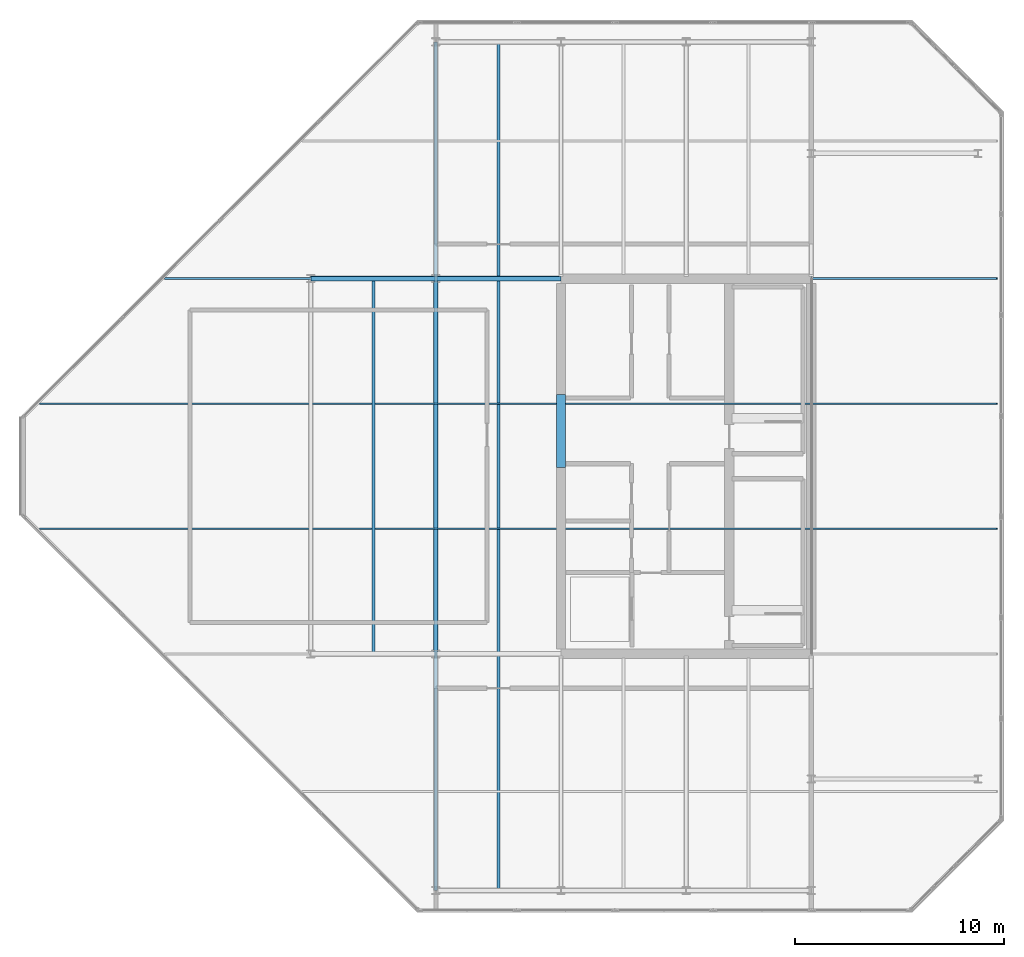
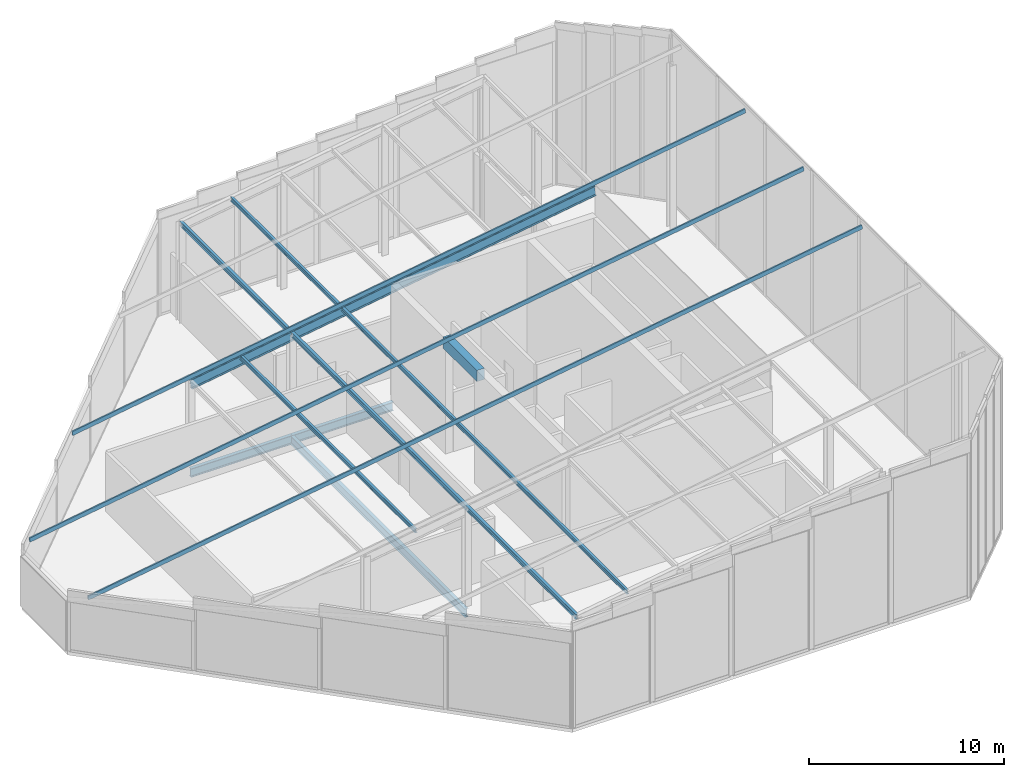
# One storey, part 9 of 30: 6 members, 5 beams.
"""IFC4 building model written with IfcOpenShell, lengths in metres."""

from ifc_helpers import new_model, si_unit, direction, frame, origin, origin_2d, place, context, subcontext, project, spatial, rectangle, hollow_rectangle, i_section, extrude, material, material_profile, profile_set, type_object, element, save


model = new_model("IFC4")

# Units and contexts
model_context = context("Model", 3, precision=1e-05, world=origin(), true_north=direction((0.0, 1.0)))
body_context = subcontext(model_context, "Body", "Model", "MODEL_VIEW")
ifc_project = project(units=[si_unit("LENGTHUNIT", "METRE"), si_unit("AREAUNIT", "SQUARE_METRE"), si_unit("VOLUMEUNIT", "CUBIC_METRE"), si_unit("PLANEANGLEUNIT", "RADIAN"), si_unit("MASSUNIT", "GRAM", prefix="KILO")], contexts=[model_context])

# Site, building, storey
site_placement = place(None, origin())
site = spatial("IfcSite", under=ifc_project, at=site_placement, CompositionType="ELEMENT")
building_placement = place(site_placement, origin())
building = spatial("IfcBuilding", under=site, at=building_placement, Name="Tanjung Sevakor Pilgrim Tower", CompositionType="ELEMENT")
storey_placement = place(building_placement, frame((0.0, 0.0, 287.760009765625)))
storey = spatial("IfcBuildingStorey", under=building, at=storey_placement, Name="L80", CompositionType="ELEMENT", Elevation=287.760009765625)

# Beams
ifc_material_1 = material(Name="Steel S355J2", Category="steel")
ifc_material_profile_1 = material_profile(ifc_material_1, i_section(OverallWidth=0.22900390625, OverallDepth=0.6123046875, WebThickness=0.011962890625, FlangeThickness=0.01953125, FilletRadius=0.0126953125, at=origin_2d()))
ifc_profile_set_1 = profile_set([ifc_material_profile_1], Name="Steel S355J2")
beam_type_1 = type_object("IfcBeamType", Name="BM-B-G4-UB_610x229x125", PredefinedType="BEAM", material=ifc_profile_set_1)
beam_1_placement = place(storey_placement, frame((66.0, 42.60009765625, 5.017822265625), z_axis=(0.987881396112, 0.0, 0.155210654327), x_axis=(0.0, 1.0, 0.0)))
element("IfcBeam", 1, at=beam_1_placement, inside=storey, type_object=beam_type_1, Name="L80 Sloped Crown Raking Girder 02", PredefinedType="BEAM", context=body_context, shape_type="SweptSolid", body=[
    extrude(i_section(OverallWidth=0.22900390625, OverallDepth=0.6123046875, WebThickness=0.011962890625, FlangeThickness=0.01953125, FilletRadius=0.0126953125, at=origin_2d()), origin(), (0.0, 0.0, 1.0), 24.29443359375),
])
ifc_material_2 = material(Name="Steel S355J2", Category="steel")
ifc_material_profile_2 = material_profile(ifc_material_2, i_section(OverallWidth=0.2119140625, OverallDepth=0.54443359375, WebThickness=0.0126953125, FlangeThickness=0.021240234375, FilletRadius=0.0126953125, at=origin_2d()))
ifc_profile_set_2 = profile_set([ifc_material_profile_2], Name="Steel S355J2")
beam_type_2 = type_object("IfcBeamType", Name="BM-B-G5-UB_533x210x122", PredefinedType="BEAM", material=ifc_profile_set_2)
for number, where, z_axis, x_axis, name in (
    (2, (66.0, 42.60009765625, -0.5322265625), (1.0, 0.0, 0.0), (0.0, 1.0, 0.0), "L80 Primary Floor Girder EAST Y426-01"),
    (3, (72.0, 42.60009765625, -0.5322265625), (1.0, 0.0, 0.0), (0.0, 1.0, 0.0), "L80 Primary Floor Girder EAST Y426-02"),
):
    element("IfcBeam", number, at=place(storey_placement, frame(where, z_axis=z_axis, x_axis=x_axis)), inside=storey, type_object=beam_type_2, Name=name, PredefinedType="BEAM", context=body_context, shape_type="SweptSolid", body=[
        extrude(i_section(OverallWidth=0.2119140625, OverallDepth=0.54443359375, WebThickness=0.0126953125, FlangeThickness=0.021240234375, FilletRadius=0.0126953125, at=origin_2d()), origin(), (0.0, 0.0, 1.0), 6.0),
    ])
ifc_material_3 = material(Name="Steel S355J2", Category="steel")
ifc_material_profile_3 = material_profile(ifc_material_3, i_section(OverallWidth=0.210693359375, OverallDepth=0.53955078125, WebThickness=0.01171875, FlangeThickness=0.018798828125, FilletRadius=0.0126953125, at=origin_2d()))
ifc_profile_set_3 = profile_set([ifc_material_profile_3], Name="Steel S355J2")
beam_type_3 = type_object("IfcBeamType", Name="BM-B-G6-UB_533x210x109", PredefinedType="BEAM", material=ifc_profile_set_3)
beam_2_placement = place(storey_placement, frame((72.0, 24.60009765625, -0.52978515625), z_axis=(0.0, 1.0, 0.0), x_axis=(-1.0, 0.0, 0.0)))
element("IfcBeam", 4, at=beam_2_placement, inside=storey, type_object=beam_type_3, Name="L80 EAST Girder 003", PredefinedType="BEAM", context=body_context, shape_type="SweptSolid", body=[
    extrude(i_section(OverallWidth=0.210693359375, OverallDepth=0.53955078125, WebThickness=0.01171875, FlangeThickness=0.018798828125, FilletRadius=0.0126953125, at=origin_2d()), origin(), (0.0, 0.0, 1.0), 18.0),
])
ifc_material_4 = material(Name="Concrete C60/75", Category="concrete")
ifc_material_profile_4 = material_profile(ifc_material_4, rectangle(XDim=0.449951171875, YDim=0.699951171875, at=origin_2d()))
ifc_profile_set_4 = profile_set([ifc_material_profile_4], Name="Concrete C60/75")
beam_type_4 = type_object("IfcBeamType", Name="BM-B-LN3-RC-BM_450x700", PredefinedType="LINTEL", material=ifc_profile_set_4)
beam_3_placement = place(storey_placement, frame((78.0, 33.550048828125, 6.859130859375), z_axis=(0.0, 1.0, 0.0), x_axis=(-1.0, 0.0, 0.0)))
element("IfcBeam", 5, at=beam_3_placement, inside=storey, type_object=beam_type_4, Name="L80 E Core Coupling Lintel", PredefinedType="LINTEL", context=body_context, shape_type="SweptSolid", body=[
    extrude(rectangle(XDim=0.449951171875, YDim=0.699951171875, at=origin_2d()), origin(), (0.0, 0.0, 1.0), 3.5),
])

# Members
ifc_material_5 = material(Name="Steel S355J2", Category="steel")
ifc_material_profile_5 = material_profile(ifc_material_5, i_section(OverallWidth=0.165771484375, OverallDepth=0.306640625, WebThickness=0.006591796875, FlangeThickness=0.01171875, FilletRadius=0.0087890625, at=origin_2d()))
ifc_profile_set_5 = profile_set([ifc_material_profile_5], Name="Steel S355J2")
member_type_1 = type_object("IfcMemberType", Name="MEM-M-PR1-UB_305x165x46", PredefinedType="PURLIN", material=ifc_profile_set_5)
member_1_placement = place(storey_placement, frame((72.0, 13.25, 6.11328125), z_axis=(0.0, 1.0, 0.0), x_axis=(-1.0, 0.0, 0.0)))
element("IfcMember", 6, at=member_1_placement, inside=storey, type_object=member_type_1, Name="L80 Crown Roof Purlin 03", PredefinedType="PURLIN", context=body_context, shape_type="SweptSolid", body=[
    extrude(i_section(OverallWidth=0.165771484375, OverallDepth=0.306640625, WebThickness=0.006591796875, FlangeThickness=0.01171875, FilletRadius=0.0087890625, at=origin_2d()), origin(), (0.0, 0.0, 1.0), 40.699951171875),
])
ifc_material_6 = material(Name="Steel S355J2", Category="steel")
ifc_material_profile_6 = material_profile(ifc_material_6, i_section(OverallWidth=0.146484375, OverallDepth=0.256103515625, WebThickness=0.00634765625, FlangeThickness=0.010986328125, FilletRadius=0.007568359375, at=origin_2d()))
ifc_profile_set_6 = profile_set([ifc_material_profile_6], Name="Steel S355J2")
member_type_2 = type_object("IfcMemberType", Name="MEM-M-PR2-UB_254x146x37", PredefinedType="PURLIN", material=ifc_profile_set_6)
member_2_placement = place(storey_placement, frame((69.0, 24.60009765625, 5.667236328125), z_axis=(0.0, 1.0, 0.0), x_axis=(-1.0, 0.0, 0.0)))
element("IfcMember", 7, at=member_2_placement, inside=storey, type_object=member_type_2, Name="L80 Crown Roof Purlin 02", PredefinedType="PURLIN", context=body_context, shape_type="SweptSolid", body=[
    extrude(i_section(OverallWidth=0.146484375, OverallDepth=0.256103515625, WebThickness=0.00634765625, FlangeThickness=0.010986328125, FilletRadius=0.007568359375, at=origin_2d()), origin(), (0.0, 0.0, 1.0), 18.0),
])
member_3_placement = place(storey_placement, frame((75.0, 13.25, 6.60986328125), z_axis=(0.0, 1.0, 0.0), x_axis=(-1.0, 0.0, 0.0)))
element("IfcMember", 8, at=member_3_placement, inside=storey, type_object=member_type_2, Name="L80 Crown Roof Purlin 04", PredefinedType="PURLIN", context=body_context, shape_type="SweptSolid", body=[
    extrude(i_section(OverallWidth=0.146484375, OverallDepth=0.256103515625, WebThickness=0.00634765625, FlangeThickness=0.010986328125, FilletRadius=0.007568359375, at=origin_2d()), origin(), (0.0, 0.0, 1.0), 40.699951171875),
])
ifc_material_7 = material(Name="Aluminium 6063-T6", Category="aluminium")
ifc_material_profile_7 = material_profile(ifc_material_7, hollow_rectangle(XDim=0.080078125, YDim=0.260009765625, WallThickness=0.0048828125, at=origin_2d()))
ifc_profile_set_7 = profile_set([ifc_material_profile_7], Name="Aluminium 6063-T6")
member_type_3 = type_object("IfcMemberType", Name="TYPE-CRN-GLZBAR", PredefinedType="PURLIN", material=ifc_profile_set_7)
for number, where, z_axis, x_axis, name in (
    (9, (53.0, 30.60009765625, 3.42138671875), (0.987881798667, 0.0, 0.15520809213), (0.0, 1.0, 0.0), "East Peak Sloped Glass Roof Glazing Bar 3"),
    (10, (53.0, 36.60009765625, 3.42138671875), (0.987881798667, 0.0, 0.15520809213), (0.0, 1.0, 0.0), "East Peak Sloped Glass Roof Glazing Bar 4"),
):
    element("IfcMember", number, at=place(storey_placement, frame(where, z_axis=z_axis, x_axis=x_axis)), inside=storey, type_object=member_type_3, Name=name, PredefinedType="PURLIN", context=body_context, shape_type="SweptSolid", body=[
        extrude(hollow_rectangle(XDim=0.080078125, YDim=0.260009765625, WallThickness=0.0048828125, at=origin_2d()), origin(), (0.0, 0.0, 1.0), 46.462890625),
    ])
member_4_placement = place(storey_placement, frame((59.0, 42.60009765625, 4.364013671875), z_axis=(0.987881627497, 0.0, 0.155209181602), x_axis=(0.0, 1.0, 0.0)))
element("IfcMember", 11, at=member_4_placement, inside=storey, type_object=member_type_3, Name="East Peak Sloped Glass Roof Glazing Bar 5", PredefinedType="PURLIN", context=body_context, shape_type="SweptSolid", body=[
    extrude(hollow_rectangle(XDim=0.080078125, YDim=0.260009765625, WallThickness=0.0048828125, at=origin_2d()), origin(), (0.0, 0.0, 1.0), 40.389404296875),
])

save(model, "model.ifc")
